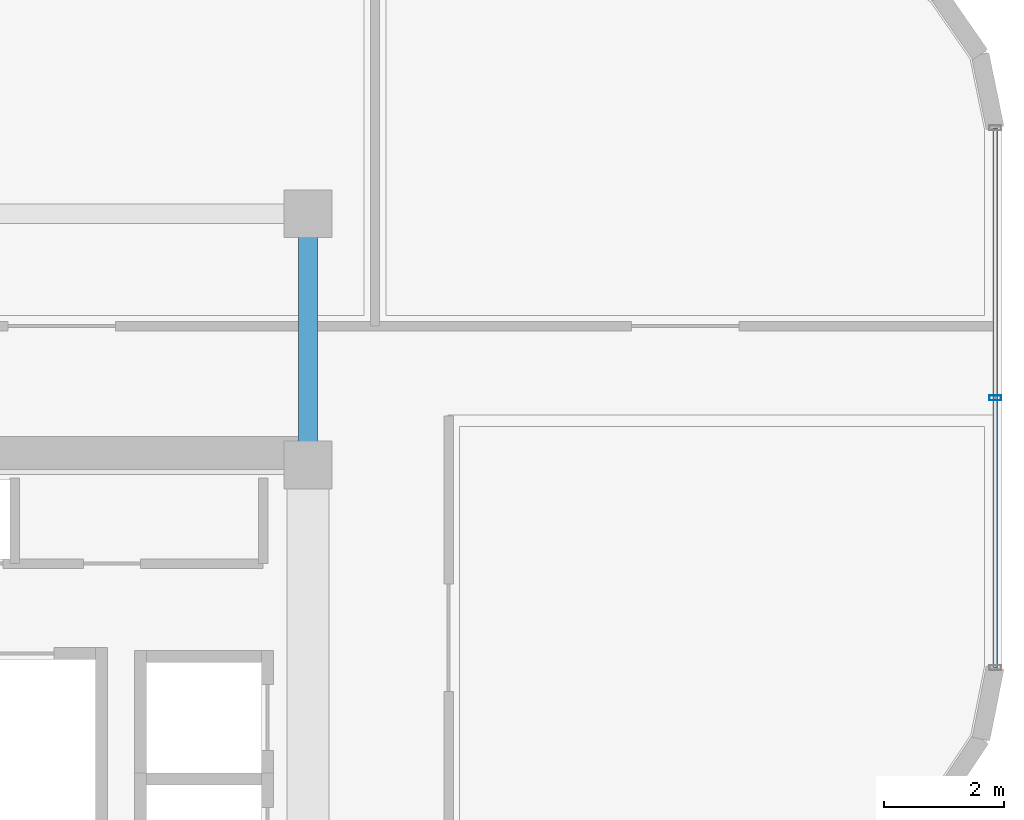
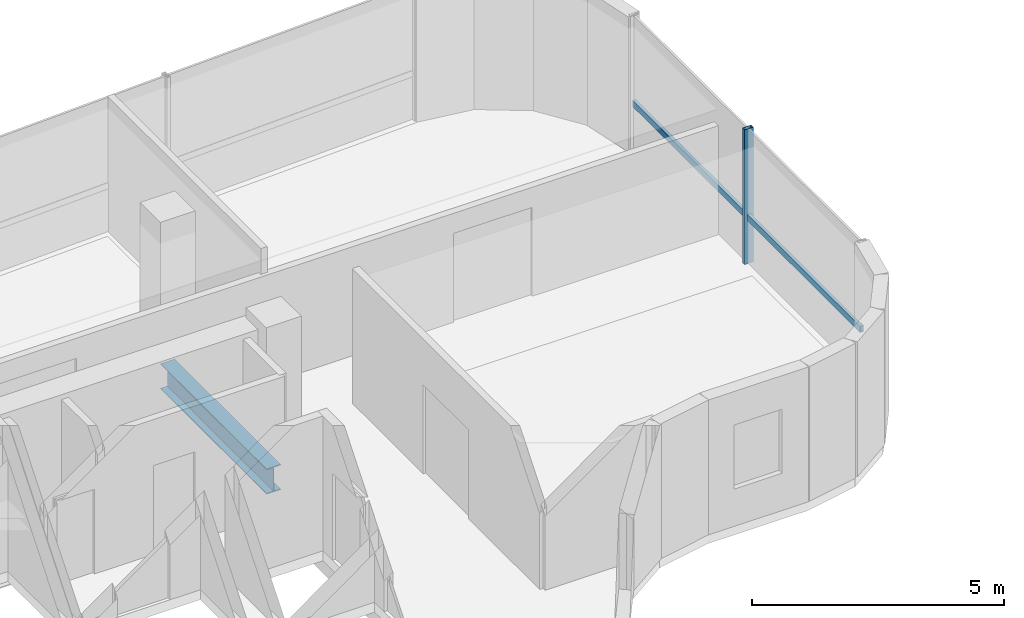
# One storey, part 9 of 18: 2 members, 1 beam, 1 element without a shape of its own.
"""IFC4 building model written with IfcOpenShell, lengths in metres."""

from ifc_helpers import new_model, si_unit, direction, frame, origin, origin_2d, place, context, subcontext, project, spatial, hollow_rectangle, i_section, extrude, source, transform, mapped, material, material_profile, profile_set, type_object, element, aggregate, save


model = new_model("IFC4")

# Units and contexts
model_context = context("Model", 3, precision=1e-05, world=origin(), true_north=direction((0.0, 1.0)))
body_context = subcontext(model_context, "Body", "Model", "MODEL_VIEW")
ifc_project = project(units=[si_unit("LENGTHUNIT", "METRE"), si_unit("AREAUNIT", "SQUARE_METRE"), si_unit("VOLUMEUNIT", "CUBIC_METRE"), si_unit("PLANEANGLEUNIT", "RADIAN"), si_unit("MASSUNIT", "GRAM", prefix="KILO")], contexts=[model_context])

# Site, building, storey
site_placement = place(None, origin())
site = spatial("IfcSite", under=ifc_project, at=site_placement, CompositionType="ELEMENT")
building_placement = place(site_placement, origin())
building = spatial("IfcBuilding", under=site, at=building_placement, Name="Valdorenza Pilgrim Sanctuary Tower", CompositionType="ELEMENT")
storey_placement = place(building_placement, frame((0.0, 0.0, 276.5)))
storey = spatial("IfcBuildingStorey", under=building, at=storey_placement, Name="L72", CompositionType="ELEMENT", Elevation=276.5)

# Beam
ifc_material_1 = material(Name="Steel ASTM A992 Grade 50", Category="steel")
ifc_material_profile_1 = material_profile(ifc_material_1, i_section(OverallWidth=0.323974609375, OverallDepth=0.611083984375, WebThickness=0.0126953125, FlangeThickness=0.01904296875, at=origin_2d()), Name="W24X104")
ifc_profile_set_1 = profile_set([ifc_material_profile_1], Name="Steel ASTM A992 Grade 50")
beam_type = type_object("IfcBeamType", Name="STR-BM-GRD-W24B", PredefinedType="BEAM", material=ifc_profile_set_1)
shared_shape_1 = source(origin(), body_context, "Body", "SweptSolid", [
    extrude(i_section(OverallWidth=0.323974609375, OverallDepth=0.611083984375, WebThickness=0.0126953125, FlangeThickness=0.01904296875, at=origin_2d()), origin(), (0.0, 0.0, 1.0), 4.199951171875),
])
beam_placement = place(storey_placement, frame((-12.39990234375, 10.60009765625, -0.54541015625), z_axis=(0.0, 1.0, 0.0), x_axis=(-1.0, 0.0, 0.0)))
element("IfcBeam", 1, at=beam_placement, inside=storey, type_object=beam_type, Name="L72 Core Tie Girder CA-E-N1N2", PredefinedType="BEAM", context=body_context, shape_type="MappedRepresentation", body=[
    mapped(shared_shape_1, transform((0.0, 0.0, 0.0), x_axis=(1.0, 0.0, 0.0), y_axis=(0.0, 1.0, 0.0), z_axis=(0.0, 0.0, 1.0), scale=1.0)),
])

# Curtain wall, members
ifc_material_2 = material(Name="Curtain-wall IGU glazing", Category="glass")
curtain_wall_type = type_object("IfcCurtainWallType", Name="CW-SYS-02", PredefinedType="NOTDEFINED", material=ifc_material_2)
curtain_wall_placement = place(storey_placement, origin())
curtain_wall = element("IfcCurtainWall", 2, at=curtain_wall_placement, inside=storey, type_object=curtain_wall_type, Name="L72 Curtain Wall CW-L72-1-11", PredefinedType="NOTDEFINED")
ifc_material_3 = material(Name="Anodised aluminium AW-6060", Category="aluminium")
ifc_material_profile_2 = material_profile(ifc_material_3, hollow_rectangle(XDim=0.0849609375, YDim=0.199951171875, WallThickness=0.0048828125, at=origin_2d()), Name="ALU-M 200x85x5")
ifc_profile_set_2 = profile_set([ifc_material_profile_2], Name="Anodised aluminium AW-6060")
member_type_1 = type_object("IfcMemberType", Name="CW-MUL-02", PredefinedType="MULLION", material=ifc_profile_set_2)
shared_shape_2 = source(origin(), body_context, "Body", "SweptSolid", [
    extrude(hollow_rectangle(XDim=0.0849609375, YDim=0.199951171875, WallThickness=0.0048828125, at=origin_2d()), origin(), (0.0, 0.0, 1.0), 3.260009765625),
])
member_1_placement = place(storey_placement, frame((-0.909912109375, 11.72265625, 0.0), z_axis=(0.0, 0.0, 1.0), x_axis=(0.0, -1.0, 0.0)))
member_1 = element("IfcMember", 3, at=member_1_placement, type_object=member_type_1, Name="CW-L72-1-11 Mullion 2", PredefinedType="MULLION", context=body_context, shape_type="MappedRepresentation", body=[
    mapped(shared_shape_2, transform((0.0, 0.0, 0.0), x_axis=(1.0, 0.0, 0.0), y_axis=(0.0, 1.0, 0.0), z_axis=(0.0, 0.0, 1.0), scale=1.0)),
])
ifc_material_profile_3 = material_profile(ifc_material_3, hollow_rectangle(XDim=0.074951171875, YDim=0.14990234375, WallThickness=0.00390625, at=origin_2d()), Name="ALU-T 150x75x4")
ifc_profile_set_3 = profile_set([ifc_material_profile_3], Name="Anodised aluminium AW-6060")
member_type_2 = type_object("IfcMemberType", Name="CW-TRN-02", PredefinedType="USERDEFINED", material=ifc_profile_set_3)
shared_shape_3 = source(origin(), body_context, "Body", "SweptSolid", [
    extrude(hollow_rectangle(XDim=0.074951171875, YDim=0.14990234375, WallThickness=0.00390625, at=origin_2d()), origin(), (0.0, 0.0, 1.0), 9.023681640625),
])
member_2_placement = place(storey_placement, frame((-0.909912109375, 16.234375, 1.1201171875), z_axis=(0.0, -1.0, 0.0), x_axis=(1.0, 0.0, 0.0)))
member_2 = element("IfcMember", 4, at=member_2_placement, type_object=member_type_2, Name="CW-L72-1-11 Transom 1", ObjectType="TRANSOM", PredefinedType="USERDEFINED", context=body_context, shape_type="MappedRepresentation", body=[
    mapped(shared_shape_3, transform((0.0, 0.0, 0.0), x_axis=(1.0, 0.0, 0.0), y_axis=(0.0, 1.0, 0.0), z_axis=(0.0, 0.0, 1.0), scale=1.0)),
])
aggregate(curtain_wall, [member_1, member_2])

save(model, "model.ifc")
